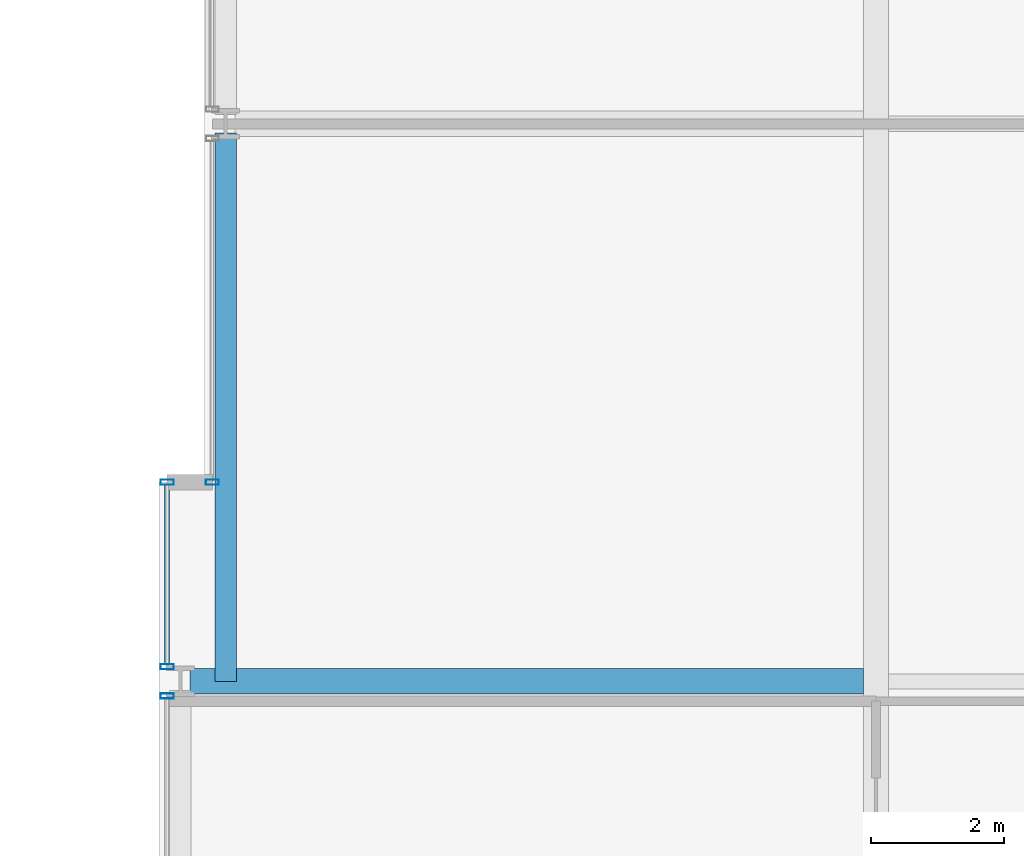
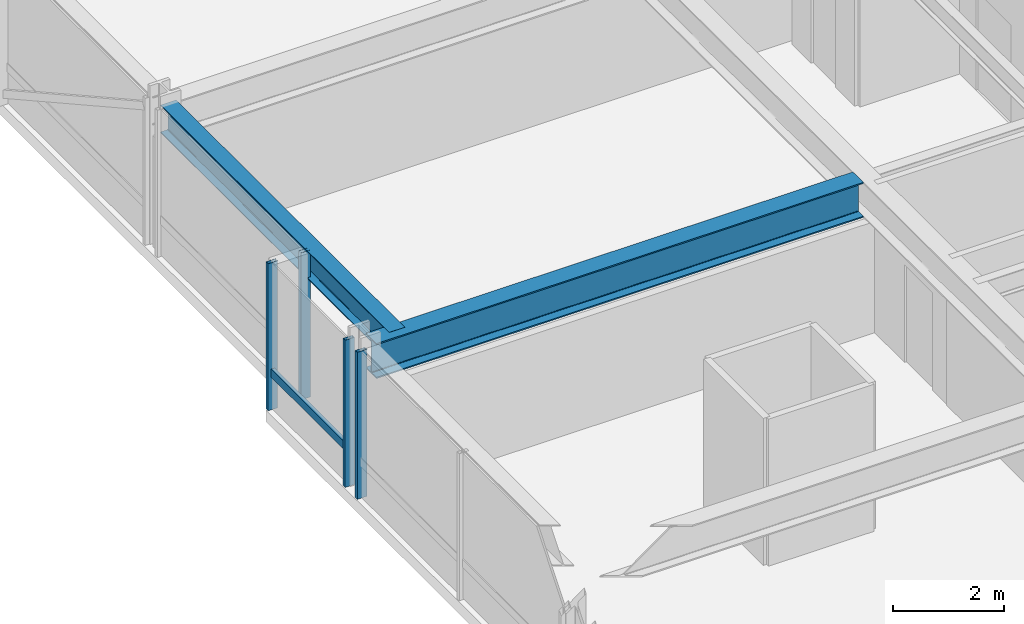
# One storey, part 7 of 34: 5 members, 2 beams, 3 elements without a shape of their own.
"""IFC4 building model written with IfcOpenShell, lengths in metres."""

from ifc_helpers import new_model, si_unit, direction, frame, origin, origin_2d, place, context, subcontext, project, spatial, hollow_rectangle, i_section, extrude, material, layer, layer_set, material_profile, profile_set, type_object, element, aggregate, save


model = new_model("IFC4")

# Units and contexts
model_context = context("Model", 3, precision=1e-05, world=origin(), true_north=direction((0.0, 1.0)))
body_context = subcontext(model_context, "Body", "Model", "MODEL_VIEW")
ifc_project = project(units=[si_unit("LENGTHUNIT", "METRE"), si_unit("AREAUNIT", "SQUARE_METRE"), si_unit("VOLUMEUNIT", "CUBIC_METRE"), si_unit("PLANEANGLEUNIT", "RADIAN"), si_unit("MASSUNIT", "GRAM", prefix="KILO")], contexts=[model_context])

# Site, building, storey
site_placement = place(None, origin())
site = spatial("IfcSite", under=ifc_project, at=site_placement, CompositionType="ELEMENT")
building_placement = place(site_placement, origin())
building = spatial("IfcBuilding", under=site, at=building_placement, Name="Drelvath Grand Hotel", CompositionType="ELEMENT")
storey_placement = place(building_placement, frame((0.0, 0.0, 109.300048828125)))
storey = spatial("IfcBuildingStorey", under=building, at=storey_placement, Name="L27", CompositionType="ELEMENT", Elevation=109.300048828125)

# Curtain wall, member
ifc_material_1 = material(Name="Champagne Bronze Anodised Aluminium Frame", Category="aluminium")
ifc_layer = layer(ifc_material_1, 0.199951171875)
ifc_layer_set = layer_set([ifc_layer], Name="Champagne Bronze Anodised Aluminium Frame")
curtain_wall_type = type_object("IfcCurtainWallType", Name="Stick Curtain Wall CW-03 Champagne Bronze Mid-Rise", PredefinedType="NOTDEFINED", material=ifc_layer_set)
curtain_wall_1_placement = place(storey_placement, origin())
curtain_wall_1 = element("IfcCurtainWall", 1, at=curtain_wall_1_placement, inside=storey, type_object=curtain_wall_type, Name="L27 CW-03 Curtain Wall CW03-L27-WS3", PredefinedType="NOTDEFINED")
ifc_material_profile_1 = material_profile(ifc_material_1, hollow_rectangle(XDim=0.074951171875, YDim=0.179931640625, WallThickness=0.0048828125, at=origin_2d()), Name="HSS180X75X5")
ifc_profile_set_1 = profile_set([ifc_material_profile_1], Name="Champagne Bronze Anodised Aluminium Frame")
member_type_1 = type_object("IfcMemberType", Name="Curtain Wall Horizontal Transom CW-03 HSS180X75X5", PredefinedType="USERDEFINED", material=ifc_profile_set_1)
member_1_placement = place(storey_placement, frame((-26.8798828125, 18.859619140625, 0.81005859375), z_axis=(0.0, 1.0, 0.0), x_axis=(-1.0, 0.0, 0.0)))
member_1 = element("IfcMember", 2, at=member_1_placement, type_object=member_type_1, Name="CW03-L27-WS3 Sill Transom", ObjectType="TRANSOM", PredefinedType="USERDEFINED", context=body_context, shape_type="SweptSolid", body=[
    extrude(hollow_rectangle(XDim=0.074951171875, YDim=0.179931640625, WallThickness=0.0048828125, at=origin_2d()), origin(), (0.0, 0.0, 1.0), 2.700439453125),
])

curtain_wall_2_placement = place(storey_placement, origin())
curtain_wall_2 = element("IfcCurtainWall", 3, at=curtain_wall_2_placement, inside=storey, type_object=curtain_wall_type, Name="L27 CW-03 Curtain Wall CW03-L27-WS2", PredefinedType="NOTDEFINED")
ifc_material_profile_2 = material_profile(ifc_material_1, hollow_rectangle(XDim=0.080078125, YDim=0.199951171875, WallThickness=0.0048828125, at=origin_2d()), Name="HSS200X80X5")
ifc_profile_set_2 = profile_set([ifc_material_profile_2], Name="Champagne Bronze Anodised Aluminium Frame")
member_type_2 = type_object("IfcMemberType", Name="Curtain Wall Vertical Mullion CW-03 HSS200X80X5", PredefinedType="MULLION", material=ifc_profile_set_2)
member_2_placement = place(storey_placement, frame((-26.8798828125, 18.38037109375, 0.0), z_axis=(0.0, 0.0, 1.0), x_axis=(0.0, 1.0, 0.0)))
member_2 = element("IfcMember", 4, at=member_2_placement, type_object=member_type_2, Name="CW03-L27-WS2 Mullion 3", PredefinedType="MULLION", context=body_context, shape_type="SweptSolid", body=[
    extrude(hollow_rectangle(XDim=0.080078125, YDim=0.199951171875, WallThickness=0.0048828125, at=origin_2d()), origin(), (0.0, 0.0, 1.0), 3.239990234375),
])
aggregate(curtain_wall_2, [member_2])

# Member
member_3_placement = place(storey_placement, frame((-26.8798828125, 18.819580078125, 0.0), z_axis=(0.0, 0.0, 1.0), x_axis=(0.0, 1.0, 0.0)))
member_3 = element("IfcMember", 5, at=member_3_placement, type_object=member_type_2, Name="CW03-L27-WS3 Mullion 1", PredefinedType="MULLION", context=body_context, shape_type="SweptSolid", body=[
    extrude(hollow_rectangle(XDim=0.080078125, YDim=0.199951171875, WallThickness=0.0048828125, at=origin_2d()), origin(), (0.0, 0.0, 1.0), 3.239990234375),
])

member_4_placement = place(storey_placement, frame((-26.8798828125, 21.60009765625, 0.0), z_axis=(0.0, 0.0, 1.0), x_axis=(0.0, 1.0, 0.0)))
member_4 = element("IfcMember", 6, at=member_4_placement, type_object=member_type_2, Name="CW03-L27-WS3 Mullion 2", PredefinedType="MULLION", context=body_context, shape_type="SweptSolid", body=[
    extrude(hollow_rectangle(XDim=0.080078125, YDim=0.199951171875, WallThickness=0.0048828125, at=origin_2d()), origin(), (0.0, 0.0, 1.0), 3.239990234375),
])

aggregate(curtain_wall_1, [member_3, member_4, member_1])

# Curtain wall, member
curtain_wall_3_placement = place(storey_placement, origin())
curtain_wall_3 = element("IfcCurtainWall", 7, at=curtain_wall_3_placement, inside=storey, type_object=curtain_wall_type, Name="L27 CW-03 Curtain Wall CW03-L27-WM1", PredefinedType="NOTDEFINED")
member_5_placement = place(storey_placement, frame((-26.199951171875, 21.60009765625, 0.0), z_axis=(0.0, 0.0, 1.0), x_axis=(0.0, 1.0, 0.0)))
member_5 = element("IfcMember", 8, at=member_5_placement, type_object=member_type_2, Name="CW03-L27-WM1 Mullion 1", PredefinedType="MULLION", context=body_context, shape_type="SweptSolid", body=[
    extrude(hollow_rectangle(XDim=0.080078125, YDim=0.199951171875, WallThickness=0.0048828125, at=origin_2d()), origin(), (0.0, 0.0, 1.0), 3.239990234375),
])
aggregate(curtain_wall_3, [member_5])

# Beams
ifc_material_2 = material(Name="Steel ASTM A992 Gr 50", Category="steel")
ifc_material_profile_3 = material_profile(ifc_material_2, i_section(OverallWidth=0.323974609375, OverallDepth=0.611083984375, WebThickness=0.0126953125, FlangeThickness=0.01904296875, FilletRadius=0.02197265625, at=origin_2d()), Name="W24X104")
ifc_profile_set_3 = profile_set([ifc_material_profile_3], Name="Steel ASTM A992 Gr 50")
beam_type_1 = type_object("IfcBeamType", Name="Perimeter Spandrel Beam W24X104", PredefinedType="SPANDREL", material=ifc_profile_set_3)
beam_1_placement = place(storey_placement, frame((-26.0, 18.60009765625, 2.9345703125), z_axis=(0.0, 1.0, 0.0), x_axis=(-1.0, 0.0, 0.0)))
element("IfcBeam", 9, at=beam_1_placement, inside=storey, type_object=beam_type_1, Name="L27 Spandrel West Mid S", PredefinedType="SPANDREL", context=body_context, shape_type="SweptSolid", body=[
    extrude(i_section(OverallWidth=0.323974609375, OverallDepth=0.611083984375, WebThickness=0.0126953125, FlangeThickness=0.01904296875, FilletRadius=0.02197265625, at=origin_2d()), origin(), (0.0, 0.0, 1.0), 8.260009765625),
])
ifc_material_profile_4 = material_profile(ifc_material_2, i_section(OverallWidth=0.380615234375, OverallDepth=0.773193359375, WebThickness=0.0166015625, FlangeThickness=0.027099609375, FilletRadius=0.02490234375, at=origin_2d()), Name="W30X173")
ifc_profile_set_4 = profile_set([ifc_material_profile_4], Name="Steel ASTM A992 Gr 50")
beam_type_2 = type_object("IfcBeamType", Name="Primary Floor Girder W30X173", PredefinedType="BEAM", material=ifc_profile_set_4)
beam_2_placement = place(storey_placement, frame((-26.5400390625, 18.60009765625, 2.853271484375), z_axis=(1.0, 0.0, 0.0), x_axis=(0.0, 1.0, 0.0)))
element("IfcBeam", 10, at=beam_2_placement, inside=storey, type_object=beam_type_2, Name="L27 West Wing Girder D", PredefinedType="BEAM", context=body_context, shape_type="SweptSolid", body=[
    extrude(i_section(OverallWidth=0.380615234375, OverallDepth=0.773193359375, WebThickness=0.0166015625, FlangeThickness=0.027099609375, FilletRadius=0.02490234375, at=origin_2d()), origin(), (0.0, 0.0, 1.0), 10.149658203125),
])

save(model, "model.ifc")
